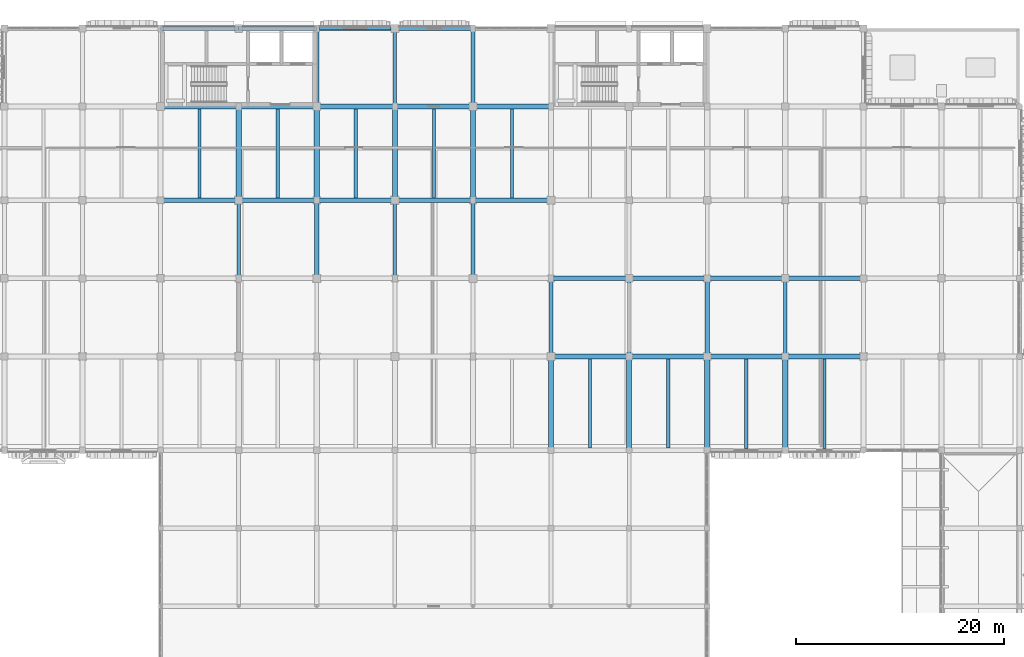
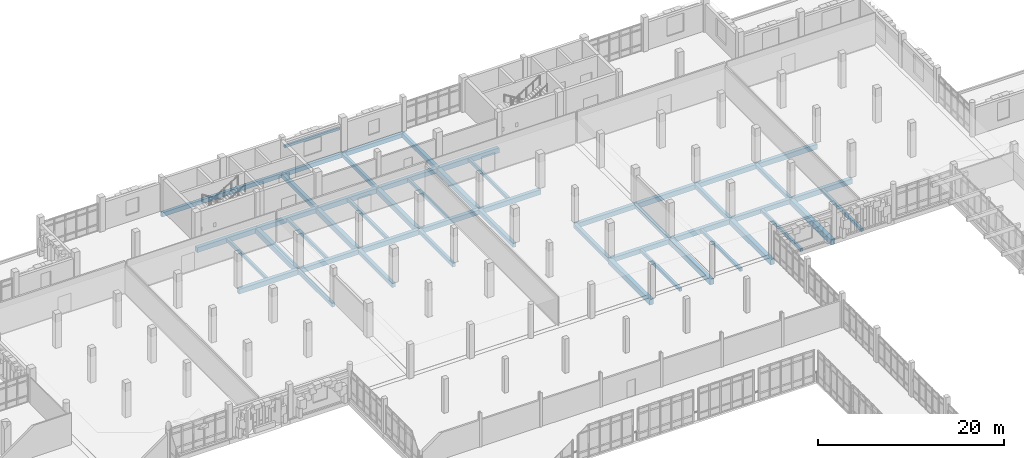
# One storey, part 53 of 128: 51 beams.
"""IFC4 building model written with IfcOpenShell, lengths in metres."""

from ifc_helpers import new_model, si_unit, direction, frame, origin, origin_2d, place, context, subcontext, project, spatial, rectangle, extrude, material, material_profile, profile_set, type_object, element, save


model = new_model("IFC4")

# Units and contexts
model_context = context("Model", 3, precision=1e-05, world=origin(), true_north=direction((0.0, 1.0)))
body_context = subcontext(model_context, "Body", "Model", "MODEL_VIEW")
ifc_project = project(units=[si_unit("LENGTHUNIT", "METRE"), si_unit("AREAUNIT", "SQUARE_METRE"), si_unit("VOLUMEUNIT", "CUBIC_METRE"), si_unit("PLANEANGLEUNIT", "RADIAN"), si_unit("MASSUNIT", "GRAM", prefix="KILO")], contexts=[model_context])

# Site, building, storey
site_placement = place(None, origin())
site = spatial("IfcSite", under=ifc_project, at=site_placement, CompositionType="ELEMENT")
building_placement = place(site_placement, origin())
building = spatial("IfcBuilding", under=site, at=building_placement, Name="Dalvernix Boulevard General Hospital", CompositionType="ELEMENT")
storey_placement = place(building_placement, frame((0.0, 0.0, 4.800048828125)))
storey = spatial("IfcBuildingStorey", under=building, at=storey_placement, Name="L01", CompositionType="ELEMENT", Elevation=4.800048828125)

# Beams
ifc_material_1 = material(Name="Concrete C35/45", Category="concrete")
ifc_material_profile_1 = material_profile(ifc_material_1, rectangle(XDim=0.5, YDim=0.699951171875, at=origin_2d()), Name="RCB 500x700")
ifc_profile_set_1 = profile_set([ifc_material_profile_1], Name="Concrete C35/45")
beam_type_1 = type_object("IfcBeamType", Name="BM-B-01-I", PredefinedType="BEAM", material=ifc_profile_set_1)
for number, where, z_axis, x_axis, name in (
    (1, (67.5, 100.5, -0.650146484375), (0.0, 1.0, 0.0), (-1.0, 0.0, 0.0), "L01 N-S girder 10:P-Q"),
    (2, (75.0, 100.5, -0.650146484375), (0.0, 1.0, 0.0), (-1.0, 0.0, 0.0), "L01 N-S girder 11:P-Q"),
    (3, (82.5, 100.5, -0.650146484375), (0.0, 1.0, 0.0), (-1.0, 0.0, 0.0), "L01 N-S girder 12:P-Q"),
    (4, (90.0, 100.5, -0.650146484375), (0.0, 1.0, 0.0), (-1.0, 0.0, 0.0), "L01 N-S girder 13:P-Q"),
    (5, (97.5, 76.5, -0.650146484375), (0.0, 1.0, 0.0), (-1.0, 0.0, 0.0), "L01 N-S girder 14:L-M"),
    (6, (105.0, 76.5, -0.650146484375), (0.0, 1.0, 0.0), (-1.0, 0.0, 0.0), "L01 N-S girder 15:L-M"),
    (7, (112.5, 76.5, -0.650146484375), (0.0, 1.0, 0.0), (-1.0, 0.0, 0.0), "L01 N-S girder 16:L-M"),
    (8, (120.0, 76.5, -0.650146484375), (0.0, 1.0, 0.0), (-1.0, 0.0, 0.0), "L01 N-S girder 17:L-M"),
):
    element("IfcBeam", number, at=place(storey_placement, frame(where, z_axis=z_axis, x_axis=x_axis)), inside=storey, type_object=beam_type_1, Name=name, PredefinedType="BEAM", context=body_context, shape_type="SweptSolid", body=[
        extrude(rectangle(XDim=0.5, YDim=0.699951171875, at=origin_2d()), origin(), (0.0, 0.0, 1.0), 9.0),
    ])
ifc_material_profile_2 = material_profile(ifc_material_1, rectangle(XDim=0.449951171875, YDim=0.64990234375, at=origin_2d()), Name="RCB 450x650")
ifc_profile_set_2 = profile_set([ifc_material_profile_2], Name="Concrete C35/45")
beam_type_2 = type_object("IfcBeamType", Name="BM-B-03-I", PredefinedType="BEAM", material=ifc_profile_set_2)
for number, where, z_axis, x_axis, name in (
    (9, (105.0, 85.5, -0.625), (1.0, 0.0, 0.0), (0.0, 1.0, 0.0), "L01 E-W girder M:15-16"),
    (10, (120.0, 85.5, -0.625), (1.0, 0.0, 0.0), (0.0, 1.0, 0.0), "L01 E-W girder M:17-18"),
    (11, (105.0, 93.0, -0.625), (1.0, 0.0, 0.0), (0.0, 1.0, 0.0), "L01 E-W girder N:15-16"),
    (12, (120.0, 93.0, -0.625), (1.0, 0.0, 0.0), (0.0, 1.0, 0.0), "L01 E-W girder N:17-18"),
    (13, (60.0, 100.5, -0.625), (1.0, 0.0, 0.0), (0.0, 1.0, 0.0), "L01 E-W girder P:9-10"),
    (14, (75.0, 100.5, -0.625), (1.0, 0.0, 0.0), (0.0, 1.0, 0.0), "L01 E-W girder P:11-12"),
    (15, (90.0, 100.5, -0.625), (1.0, 0.0, 0.0), (0.0, 1.0, 0.0), "L01 E-W girder P:13-14"),
    (16, (60.0, 109.5, -0.625), (1.0, 0.0, 0.0), (0.0, 1.0, 0.0), "L01 E-W girder Q:9-10"),
    (17, (75.0, 109.5, -0.625), (1.0, 0.0, 0.0), (0.0, 1.0, 0.0), "L01 E-W girder Q:11-12"),
    (18, (90.0, 109.5, -0.625), (1.0, 0.0, 0.0), (0.0, 1.0, 0.0), "L01 E-W girder Q:13-14"),
):
    element("IfcBeam", number, at=place(storey_placement, frame(where, z_axis=z_axis, x_axis=x_axis)), inside=storey, type_object=beam_type_2, Name=name, PredefinedType="BEAM", context=body_context, shape_type="SweptSolid", body=[
        extrude(rectangle(XDim=0.449951171875, YDim=0.64990234375, at=origin_2d()), origin(), (0.0, 0.0, 1.0), 7.5),
    ])
ifc_material_profile_3 = material_profile(ifc_material_1, rectangle(XDim=0.449951171875, YDim=0.60009765625, at=origin_2d()), Name="RCB 450x600")
ifc_profile_set_3 = profile_set([ifc_material_profile_3], Name="Concrete C35/45")
beam_type_3 = type_object("IfcBeamType", Name="BM-B-04-I", PredefinedType="BEAM", material=ifc_profile_set_3)
for number, where, z_axis, x_axis, name in (
    (19, (97.5, 85.5, -0.60009765625), (1.0, 0.0, 0.0), (0.0, 1.0, 0.0), "L01 E-W girder M:14-15"),
    (20, (112.5, 85.5, -0.60009765625), (1.0, 0.0, 0.0), (0.0, 1.0, 0.0), "L01 E-W girder M:16-17"),
    (21, (97.5, 93.0, -0.60009765625), (1.0, 0.0, 0.0), (0.0, 1.0, 0.0), "L01 E-W girder N:14-15"),
    (22, (112.5, 93.0, -0.60009765625), (1.0, 0.0, 0.0), (0.0, 1.0, 0.0), "L01 E-W girder N:16-17"),
    (23, (67.5, 100.5, -0.60009765625), (1.0, 0.0, 0.0), (0.0, 1.0, 0.0), "L01 E-W girder P:10-11"),
    (24, (82.5, 100.5, -0.60009765625), (1.0, 0.0, 0.0), (0.0, 1.0, 0.0), "L01 E-W girder P:12-13"),
    (25, (67.5, 109.5, -0.60009765625), (1.0, 0.0, 0.0), (0.0, 1.0, 0.0), "L01 E-W girder Q:10-11"),
    (26, (82.5, 109.5, -0.60009765625), (1.0, 0.0, 0.0), (0.0, 1.0, 0.0), "L01 E-W girder Q:12-13"),
):
    element("IfcBeam", number, at=place(storey_placement, frame(where, z_axis=z_axis, x_axis=x_axis)), inside=storey, type_object=beam_type_3, Name=name, PredefinedType="BEAM", context=body_context, shape_type="SweptSolid", body=[
        extrude(rectangle(XDim=0.449951171875, YDim=0.60009765625, at=origin_2d()), origin(), (0.0, 0.0, 1.0), 7.5),
    ])
ifc_material_profile_4 = material_profile(ifc_material_1, rectangle(XDim=0.39990234375, YDim=0.550048828125, at=origin_2d()), Name="RCB 400x550")
ifc_profile_set_4 = profile_set([ifc_material_profile_4], Name="Concrete C35/45")
beam_type_4 = type_object("IfcBeamType", Name="BM-B-06-I", PredefinedType="BEAM", material=ifc_profile_set_4)
for number, where, z_axis, x_axis, name in (
    (27, (75.0, 93.0, -0.574951171875), (0.0, 1.0, 0.0), (-1.0, 0.0, 0.0), "L01 N-S girder 11:N-P"),
    (28, (75.0, 109.5, -0.574951171875), (0.0, 1.0, 0.0), (-1.0, 0.0, 0.0), "L01 N-S girder 11:Q-R"),
    (29, (90.0, 93.0, -0.574951171875), (0.0, 1.0, 0.0), (-1.0, 0.0, 0.0), "L01 N-S girder 13:N-P"),
    (30, (90.0, 109.5, -0.574951171875), (0.0, 1.0, 0.0), (-1.0, 0.0, 0.0), "L01 N-S girder 13:Q-R"),
    (31, (97.5, 85.5, -0.574951171875), (0.0, 1.0, 0.0), (-1.0, 0.0, 0.0), "L01 N-S girder 14:M-N"),
    (32, (112.5, 85.5, -0.574951171875), (0.0, 1.0, 0.0), (-1.0, 0.0, 0.0), "L01 N-S girder 16:M-N"),
):
    element("IfcBeam", number, at=place(storey_placement, frame(where, z_axis=z_axis, x_axis=x_axis)), inside=storey, type_object=beam_type_4, Name=name, PredefinedType="BEAM", context=body_context, shape_type="SweptSolid", body=[
        extrude(rectangle(XDim=0.39990234375, YDim=0.550048828125, at=origin_2d()), origin(), (0.0, 0.0, 1.0), 7.5),
    ])
ifc_material_profile_5 = material_profile(ifc_material_1, rectangle(XDim=0.35009765625, YDim=0.5, at=origin_2d()), Name="RCB 350x500")
ifc_profile_set_5 = profile_set([ifc_material_profile_5], Name="Concrete C35/45")
beam_type_5 = type_object("IfcBeamType", Name="BM-B-08-I", PredefinedType="BEAM", material=ifc_profile_set_5)
for number, where, z_axis, x_axis, name in (
    (33, (67.5, 93.0, -0.550048828125), (0.0, 1.0, 0.0), (-1.0, 0.0, 0.0), "L01 N-S girder 10:N-P"),
    (34, (82.5, 93.0, -0.550048828125), (0.0, 1.0, 0.0), (-1.0, 0.0, 0.0), "L01 N-S girder 12:N-P"),
    (35, (82.5, 109.5, -0.550048828125), (0.0, 1.0, 0.0), (-1.0, 0.0, 0.0), "L01 N-S girder 12:Q-R"),
    (36, (105.0, 85.5, -0.550048828125), (0.0, 1.0, 0.0), (-1.0, 0.0, 0.0), "L01 N-S girder 15:M-N"),
    (37, (120.0, 85.5, -0.550048828125), (0.0, 1.0, 0.0), (-1.0, 0.0, 0.0), "L01 N-S girder 17:M-N"),
):
    element("IfcBeam", number, at=place(storey_placement, frame(where, z_axis=z_axis, x_axis=x_axis)), inside=storey, type_object=beam_type_5, Name=name, PredefinedType="BEAM", context=body_context, shape_type="SweptSolid", body=[
        extrude(rectangle(XDim=0.35009765625, YDim=0.5, at=origin_2d()), origin(), (0.0, 0.0, 1.0), 7.5),
    ])
ifc_material_profile_6 = material_profile(ifc_material_1, rectangle(XDim=0.300048828125, YDim=0.39990234375, at=origin_2d()), Name="RCB 300x400")
ifc_profile_set_6 = profile_set([ifc_material_profile_6], Name="Concrete C35/45")
beam_type_6 = type_object("IfcBeamType", Name="BM-JB-01", PredefinedType="JOIST", material=ifc_profile_set_6)
for number, where, z_axis, x_axis, name in (
    (38, (63.75, 100.72509765625, -0.5), (0.0, 1.0, 0.0), (-1.0, 0.0, 0.0), "L01 secondary floor beam 9-P"),
    (39, (71.25, 100.72509765625, -0.5), (0.0, 1.0, 0.0), (-1.0, 0.0, 0.0), "L01 secondary floor beam 10-P"),
    (40, (78.75, 100.72509765625, -0.5), (0.0, 1.0, 0.0), (-1.0, 0.0, 0.0), "L01 secondary floor beam 11-P"),
    (41, (86.25, 100.72509765625, -0.5), (0.0, 1.0, 0.0), (-1.0, 0.0, 0.0), "L01 secondary floor beam 12-P"),
    (42, (93.75, 100.72509765625, -0.5), (0.0, 1.0, 0.0), (-1.0, 0.0, 0.0), "L01 secondary floor beam 13-P"),
    (43, (101.25, 76.72509765625, -0.5), (0.0, 1.0, 0.0), (-1.0, 0.0, 0.0), "L01 secondary floor beam 14-L"),
    (44, (108.75, 76.72509765625, -0.5), (0.0, 1.0, 0.0), (-1.0, 0.0, 0.0), "L01 secondary floor beam 15-L"),
):
    element("IfcBeam", number, at=place(storey_placement, frame(where, z_axis=z_axis, x_axis=x_axis)), inside=storey, type_object=beam_type_6, Name=name, PredefinedType="JOIST", context=body_context, shape_type="SweptSolid", body=[
        extrude(rectangle(XDim=0.300048828125, YDim=0.39990234375, at=origin_2d()), origin(), (0.0, 0.0, 1.0), 8.5498046875),
    ])
for number, where, z_axis, x_axis, name in (
    (45, (116.25, 76.675048828125, -0.5), (0.0, 1.0, 0.0), (-1.0, 0.0, 0.0), "L01 secondary floor beam 16-L"),
    (46, (123.75, 76.675048828125, -0.5), (0.0, 1.0, 0.0), (-1.0, 0.0, 0.0), "L01 secondary floor beam 17-L"),
):
    element("IfcBeam", number, at=place(storey_placement, frame(where, z_axis=z_axis, x_axis=x_axis)), inside=storey, type_object=beam_type_6, Name=name, PredefinedType="JOIST", context=body_context, shape_type="SweptSolid", body=[
        extrude(rectangle(XDim=0.300048828125, YDim=0.39990234375, at=origin_2d()), origin(), (0.0, 0.0, 1.0), 8.599853515625),
    ])
ifc_material_2 = material(Name="Precast concrete C40/50", Category="concrete")
ifc_material_profile_7 = material_profile(ifc_material_2, rectangle(XDim=0.25, YDim=0.320068359375, at=origin_2d()), Name="RCL 250x320")
ifc_profile_set_7 = profile_set([ifc_material_profile_7], Name="Precast concrete C40/50")
beam_type_7 = type_object("IfcBeamType", Name="BM-LB-01", PredefinedType="LINTEL", material=ifc_profile_set_7)
beam_placement = place(storey_placement, frame((75.260009765625, 117.0, 3.010009765625), z_axis=(1.0, 0.0, 0.0), x_axis=(0.0, 1.0, 0.0)))
element("IfcBeam", 47, at=beam_placement, inside=storey, type_object=beam_type_7, Name="L01 precast window lintel N 10-15", PredefinedType="LINTEL", context=body_context, shape_type="SweptSolid", body=[
    extrude(rectangle(XDim=0.25, YDim=0.320068359375, at=origin_2d()), origin(), (0.0, 0.0, 1.0), 6.85498046875),
])
ifc_material_profile_8 = material_profile(ifc_material_1, rectangle(XDim=0.35009765625, YDim=0.550048828125, at=origin_2d()), Name="RCB 350x550")
ifc_profile_set_8 = profile_set([ifc_material_profile_8], Name="Concrete C35/45")
beam_type_8 = type_object("IfcBeamType", Name="BM-SB-01-E", PredefinedType="SPANDREL", material=ifc_profile_set_8)
for number, where, z_axis, x_axis, name in (
    (48, (60.0, 117.0, -0.574951171875), (1.0, 0.0, 0.0), (0.0, 1.0, 0.0), "L01 E-W girder R:9-10"),
    (49, (67.5, 117.0, -0.574951171875), (1.0, 0.0, 0.0), (0.0, 1.0, 0.0), "L01 E-W girder R:10-11"),
    (50, (75.0, 117.0, -0.574951171875), (1.0, 0.0, 0.0), (0.0, 1.0, 0.0), "L01 E-W girder R:11-12"),
    (51, (82.5, 117.0, -0.574951171875), (1.0, 0.0, 0.0), (0.0, 1.0, 0.0), "L01 E-W girder R:12-13"),
):
    element("IfcBeam", number, at=place(storey_placement, frame(where, z_axis=z_axis, x_axis=x_axis)), inside=storey, type_object=beam_type_8, Name=name, PredefinedType="SPANDREL", context=body_context, shape_type="SweptSolid", body=[
        extrude(rectangle(XDim=0.35009765625, YDim=0.550048828125, at=origin_2d()), origin(), (0.0, 0.0, 1.0), 7.5),
    ])

save(model, "model.ifc")
